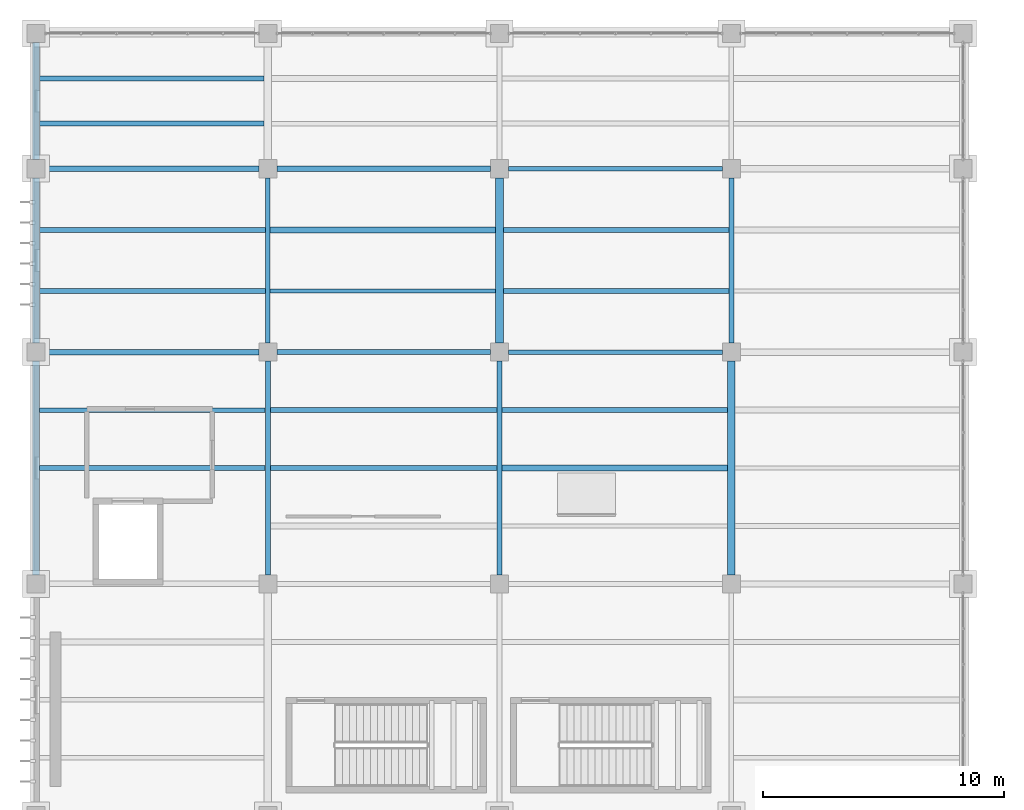
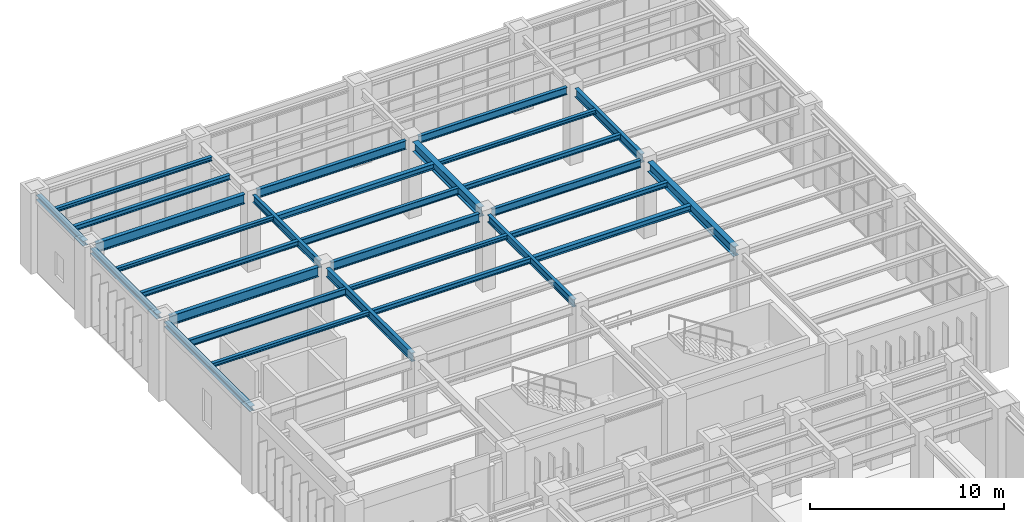
# One storey, part 73 of 174: 29 beams.
"""IFC4 building model written with IfcOpenShell, lengths in metres."""

from ifc_helpers import new_model, si_unit, direction, frame, origin, origin_2d, place, context, subcontext, project, spatial, i_section, extrude, material, material_profile, profile_set, type_object, element, save


model = new_model("IFC4")

# Units and contexts
model_context = context("Model", 3, precision=1e-05, world=origin(), true_north=direction((0.0, 1.0)))
body_context = subcontext(model_context, "Body", "Model", "MODEL_VIEW")
ifc_project = project(units=[si_unit("LENGTHUNIT", "METRE"), si_unit("AREAUNIT", "SQUARE_METRE"), si_unit("VOLUMEUNIT", "CUBIC_METRE"), si_unit("PLANEANGLEUNIT", "RADIAN"), si_unit("MASSUNIT", "GRAM", prefix="KILO")], contexts=[model_context])

# Site, building, storey
site_placement = place(None, origin())
site = spatial("IfcSite", under=ifc_project, at=site_placement, CompositionType="ELEMENT")
building_placement = place(site_placement, origin())
building = spatial("IfcBuilding", under=site, at=building_placement, Name="Mavantir Sound Aquarium", CompositionType="ELEMENT")
storey_placement = place(building_placement, frame((0.0, 0.0, 5.39990234375)))
storey = spatial("IfcBuildingStorey", under=building, at=storey_placement, Name="L01", CompositionType="ELEMENT", Elevation=5.39990234375)

# Beams
ifc_material = material(Name="Structural Steel ASTM A992 Gr50", Category="steel")
ifc_material_profile_1 = material_profile(ifc_material, i_section(OverallWidth=0.202880859375, OverallDepth=0.251953125, WebThickness=0.008056640625, FlangeThickness=0.013427734375, FilletRadius=0.011962890625, at=origin_2d()), Name="W250X58")
ifc_profile_set_1 = profile_set([ifc_material_profile_1], Name="Structural Steel ASTM A992 Gr50")
beam_type_1 = type_object("IfcBeamType", Name="BM-W250X58-I", PredefinedType="JOIST", material=ifc_profile_set_1)
beam_1_placement = place(storey_placement, frame((0.152587890625, 98.0, 4.670166015625), z_axis=(1.0, 0.0, 0.0), x_axis=(0.0, 1.0, 0.0)))
element("IfcBeam", 1, at=beam_1_placement, inside=storey, type_object=beam_type_1, Name="L01 secondary floor joist SJ-25 804", PredefinedType="JOIST", context=body_context, shape_type="SweptSolid", body=[
    extrude(i_section(OverallWidth=0.202880859375, OverallDepth=0.251953125, WebThickness=0.008056640625, FlangeThickness=0.013427734375, FilletRadius=0.011962890625, at=origin_2d()), origin(), (0.0, 0.0, 1.0), 9.34130859375),
])
beam_2_placement = place(storey_placement, frame((9.7060546875, 100.39990234375, 4.670166015625), z_axis=(1.0, 0.0, 0.0), x_axis=(0.0, 1.0, 0.0)))
element("IfcBeam", 2, at=beam_2_placement, inside=storey, type_object=beam_type_1, Name="L01 secondary floor joist SJ-25 808", PredefinedType="JOIST", context=body_context, shape_type="SweptSolid", body=[
    extrude(i_section(OverallWidth=0.202880859375, OverallDepth=0.251953125, WebThickness=0.008056640625, FlangeThickness=0.013427734375, FilletRadius=0.011962890625, at=origin_2d()), origin(), (0.0, 0.0, 1.0), 9.39697265625),
])
beam_3_placement = place(storey_placement, frame((0.152587890625, 107.86669921875, 4.670166015625), z_axis=(1.0, 0.0, 0.0), x_axis=(0.0, 1.0, 0.0)))
element("IfcBeam", 3, at=beam_3_placement, inside=storey, type_object=beam_type_1, Name="L01 secondary floor joist SJ-25 816", PredefinedType="JOIST", context=body_context, shape_type="SweptSolid", body=[
    extrude(i_section(OverallWidth=0.202880859375, OverallDepth=0.251953125, WebThickness=0.008056640625, FlangeThickness=0.013427734375, FilletRadius=0.011962890625, at=origin_2d()), origin(), (0.0, 0.0, 1.0), 9.350341796875),
])
beam_4_placement = place(storey_placement, frame((19.362060546875, 107.86669921875, 4.670166015625), z_axis=(1.0, 0.0, 0.0), x_axis=(0.0, 1.0, 0.0)))
element("IfcBeam", 4, at=beam_4_placement, inside=storey, type_object=beam_type_1, Name="L01 secondary floor joist SJ-25 820", PredefinedType="JOIST", context=body_context, shape_type="SweptSolid", body=[
    extrude(i_section(OverallWidth=0.202880859375, OverallDepth=0.251953125, WebThickness=0.008056640625, FlangeThickness=0.013427734375, FilletRadius=0.011962890625, at=origin_2d()), origin(), (0.0, 0.0, 1.0), 9.33203125),
])
beam_5_placement = place(storey_placement, frame((0.152587890625, 114.13330078125, 4.650146484375), z_axis=(1.0, 0.0, 0.0), x_axis=(0.0, 1.0, 0.0)))
element("IfcBeam", 5, at=beam_5_placement, inside=storey, type_object=beam_type_1, Name="L01 secondary floor joist SJ-25 824", PredefinedType="JOIST", context=body_context, shape_type="SweptSolid", body=[
    extrude(i_section(OverallWidth=0.202880859375, OverallDepth=0.251953125, WebThickness=0.008056640625, FlangeThickness=0.013427734375, FilletRadius=0.011962890625, at=origin_2d()), origin(), (0.0, 0.0, 1.0), 9.285400390625),
])
ifc_material_profile_2 = material_profile(ifc_material, i_section(OverallWidth=0.205078125, OverallDepth=0.31005859375, WebThickness=0.009521484375, FlangeThickness=0.016357421875, FilletRadius=0.012939453125, at=origin_2d()), Name="W310X74")
ifc_profile_set_2 = profile_set([ifc_material_profile_2], Name="Structural Steel ASTM A992 Gr50")
beam_type_2 = type_object("IfcBeamType", Name="BM-W310X74-I", PredefinedType="JOIST", material=ifc_profile_set_2)
beam_6_placement = place(storey_placement, frame((9.7060546875, 98.0, 4.64111328125), z_axis=(1.0, 0.0, 0.0), x_axis=(0.0, 1.0, 0.0)))
element("IfcBeam", 6, at=beam_6_placement, inside=storey, type_object=beam_type_2, Name="L01 secondary floor joist SJ-31 807", PredefinedType="JOIST", context=body_context, shape_type="SweptSolid", body=[
    extrude(i_section(OverallWidth=0.205078125, OverallDepth=0.31005859375, WebThickness=0.009521484375, FlangeThickness=0.016357421875, FilletRadius=0.012939453125, at=origin_2d()), origin(), (0.0, 0.0, 1.0), 9.39697265625),
])
beam_7_placement = place(storey_placement, frame((19.297119140625, 100.39990234375, 4.64111328125), z_axis=(1.0, 0.0, 0.0), x_axis=(0.0, 1.0, 0.0)))
element("IfcBeam", 7, at=beam_7_placement, inside=storey, type_object=beam_type_2, Name="L01 secondary floor joist SJ-31 811", PredefinedType="JOIST", context=body_context, shape_type="SweptSolid", body=[
    extrude(i_section(OverallWidth=0.205078125, OverallDepth=0.31005859375, WebThickness=0.009521484375, FlangeThickness=0.016357421875, FilletRadius=0.012939453125, at=origin_2d()), origin(), (0.0, 0.0, 1.0), 9.3408203125),
])
beam_8_placement = place(storey_placement, frame((0.152587890625, 105.333251953125, 4.64111328125), z_axis=(1.0, 0.0, 0.0), x_axis=(0.0, 1.0, 0.0)))
element("IfcBeam", 8, at=beam_8_placement, inside=storey, type_object=beam_type_2, Name="L01 secondary floor joist SJ-31 815", PredefinedType="JOIST", context=body_context, shape_type="SweptSolid", body=[
    extrude(i_section(OverallWidth=0.205078125, OverallDepth=0.31005859375, WebThickness=0.009521484375, FlangeThickness=0.016357421875, FilletRadius=0.012939453125, at=origin_2d()), origin(), (0.0, 0.0, 1.0), 9.350341796875),
])
beam_9_placement = place(storey_placement, frame((19.362060546875, 105.333251953125, 4.64111328125), z_axis=(1.0, 0.0, 0.0), x_axis=(0.0, 1.0, 0.0)))
element("IfcBeam", 9, at=beam_9_placement, inside=storey, type_object=beam_type_2, Name="L01 secondary floor joist SJ-31 819", PredefinedType="JOIST", context=body_context, shape_type="SweptSolid", body=[
    extrude(i_section(OverallWidth=0.205078125, OverallDepth=0.31005859375, WebThickness=0.009521484375, FlangeThickness=0.016357421875, FilletRadius=0.012939453125, at=origin_2d()), origin(), (0.0, 0.0, 1.0), 9.33203125),
])
beam_10_placement = place(storey_placement, frame((0.152587890625, 112.2666015625, 4.62109375), z_axis=(1.0, 0.0, 0.0), x_axis=(0.0, 1.0, 0.0)))
element("IfcBeam", 10, at=beam_10_placement, inside=storey, type_object=beam_type_2, Name="L01 secondary floor joist SJ-31 823", PredefinedType="JOIST", context=body_context, shape_type="SweptSolid", body=[
    extrude(i_section(OverallWidth=0.205078125, OverallDepth=0.31005859375, WebThickness=0.009521484375, FlangeThickness=0.016357421875, FilletRadius=0.012939453125, at=origin_2d()), origin(), (0.0, 0.0, 1.0), 9.285400390625),
])
ifc_material_profile_3 = material_profile(ifc_material, i_section(OverallWidth=0.304931640625, OverallDepth=0.30810546875, WebThickness=0.010009765625, FlangeThickness=0.015380859375, FilletRadius=0.014892578125, at=origin_2d()), Name="W310X97")
ifc_profile_set_3 = profile_set([ifc_material_profile_3], Name="Structural Steel ASTM A992 Gr50")
beam_type_3 = type_object("IfcBeamType", Name="BM-W310X97-E", PredefinedType="SPANDREL", material=ifc_profile_set_3)
beam_11_placement = place(storey_placement, frame((0.0, 93.574951171875, 4.64208984375), z_axis=(0.0, 1.0, 0.0), x_axis=(-1.0, 0.0, 0.0)))
element("IfcBeam", 11, at=beam_11_placement, inside=storey, type_object=beam_type_3, Name="L01 primary girder SS-31A 1378", PredefinedType="SPANDREL", context=body_context, shape_type="SweptSolid", body=[
    extrude(i_section(OverallWidth=0.304931640625, OverallDepth=0.30810546875, WebThickness=0.010009765625, FlangeThickness=0.015380859375, FilletRadius=0.014892578125, at=origin_2d()), origin(), (0.0, 0.0, 1.0), 8.85009765625),
])
beam_12_placement = place(storey_placement, frame((0.0, 103.175048828125, 4.64208984375), z_axis=(0.0, 1.0, 0.0), x_axis=(-1.0, 0.0, 0.0)))
element("IfcBeam", 12, at=beam_12_placement, inside=storey, type_object=beam_type_3, Name="L01 primary girder SS-31A 1379", PredefinedType="SPANDREL", context=body_context, shape_type="SweptSolid", body=[
    extrude(i_section(OverallWidth=0.304931640625, OverallDepth=0.30810546875, WebThickness=0.010009765625, FlangeThickness=0.015380859375, FilletRadius=0.014892578125, at=origin_2d()), origin(), (0.0, 0.0, 1.0), 6.849853515625),
])
beam_13_placement = place(storey_placement, frame((0.0, 110.77490234375, 4.6220703125), z_axis=(0.0, 1.0, 0.0), x_axis=(-1.0, 0.0, 0.0)))
element("IfcBeam", 13, at=beam_13_placement, inside=storey, type_object=beam_type_3, Name="L01 primary girder SS-31A 1380", PredefinedType="SPANDREL", context=body_context, shape_type="SweptSolid", body=[
    extrude(i_section(OverallWidth=0.304931640625, OverallDepth=0.30810546875, WebThickness=0.010009765625, FlangeThickness=0.015380859375, FilletRadius=0.014892578125, at=origin_2d()), origin(), (0.0, 0.0, 1.0), 4.85009765625),
])
ifc_material_profile_4 = material_profile(ifc_material, i_section(OverallWidth=0.25390625, OverallDepth=0.35302734375, WebThickness=0.009521484375, FlangeThickness=0.016357421875, FilletRadius=0.014892578125, at=origin_2d()), Name="W360X91")
ifc_profile_set_4 = profile_set([ifc_material_profile_4], Name="Structural Steel ASTM A992 Gr50")
beam_type_4 = type_object("IfcBeamType", Name="BM-W360X91-I", PredefinedType="JOIST", material=ifc_profile_set_4)
beam_14_placement = place(storey_placement, frame((19.297119140625, 98.0, 4.61962890625), z_axis=(1.0, 0.0, 0.0), x_axis=(0.0, 1.0, 0.0)))
element("IfcBeam", 14, at=beam_14_placement, inside=storey, type_object=beam_type_4, Name="L01 secondary floor joist SJ-36 810", PredefinedType="JOIST", context=body_context, shape_type="SweptSolid", body=[
    extrude(i_section(OverallWidth=0.25390625, OverallDepth=0.35302734375, WebThickness=0.009521484375, FlangeThickness=0.016357421875, FilletRadius=0.014892578125, at=origin_2d()), origin(), (0.0, 0.0, 1.0), 9.3408203125),
])
beam_15_placement = place(storey_placement, frame((9.697021484375, 107.86669921875, 4.61962890625), z_axis=(1.0, 0.0, 0.0), x_axis=(0.0, 1.0, 0.0)))
element("IfcBeam", 15, at=beam_15_placement, inside=storey, type_object=beam_type_4, Name="L01 secondary floor joist SJ-36 818", PredefinedType="JOIST", context=body_context, shape_type="SweptSolid", body=[
    extrude(i_section(OverallWidth=0.25390625, OverallDepth=0.35302734375, WebThickness=0.009521484375, FlangeThickness=0.016357421875, FilletRadius=0.014892578125, at=origin_2d()), origin(), (0.0, 0.0, 1.0), 9.341064453125),
])
ifc_material_profile_5 = material_profile(ifc_material, i_section(OverallWidth=0.180908203125, OverallDepth=0.4169921875, WebThickness=0.010986328125, FlangeThickness=0.018310546875, FilletRadius=0.014892578125, at=origin_2d()), Name="W410X85")
ifc_profile_set_5 = profile_set([ifc_material_profile_5], Name="Structural Steel ASTM A992 Gr50")
beam_type_5 = type_object("IfcBeamType", Name="BM-W410X85-I", PredefinedType="JOIST", material=ifc_profile_set_5)
beam_16_placement = place(storey_placement, frame((0.152587890625, 100.39990234375, 4.587646484375), z_axis=(1.0, 0.0, 0.0), x_axis=(0.0, 1.0, 0.0)))
element("IfcBeam", 16, at=beam_16_placement, inside=storey, type_object=beam_type_5, Name="L01 secondary floor joist SJ-41 805", PredefinedType="JOIST", context=body_context, shape_type="SweptSolid", body=[
    extrude(i_section(OverallWidth=0.180908203125, OverallDepth=0.4169921875, WebThickness=0.010986328125, FlangeThickness=0.018310546875, FilletRadius=0.014892578125, at=origin_2d()), origin(), (0.0, 0.0, 1.0), 9.34130859375),
])
beam_17_placement = place(storey_placement, frame((9.697021484375, 105.333251953125, 4.587646484375), z_axis=(1.0, 0.0, 0.0), x_axis=(0.0, 1.0, 0.0)))
element("IfcBeam", 17, at=beam_17_placement, inside=storey, type_object=beam_type_5, Name="L01 secondary floor joist SJ-41 817", PredefinedType="JOIST", context=body_context, shape_type="SweptSolid", body=[
    extrude(i_section(OverallWidth=0.180908203125, OverallDepth=0.4169921875, WebThickness=0.010986328125, FlangeThickness=0.018310546875, FilletRadius=0.014892578125, at=origin_2d()), origin(), (0.0, 0.0, 1.0), 9.341064453125),
])
ifc_material_profile_6 = material_profile(ifc_material, i_section(OverallWidth=0.194091796875, OverallDepth=0.468994140625, WebThickness=0.0126953125, FlangeThickness=0.0205078125, FilletRadius=0.01611328125, at=origin_2d()), Name="W460X106")
ifc_profile_set_6 = profile_set([ifc_material_profile_6], Name="Structural Steel ASTM A992 Gr50")
beam_type_6 = type_object("IfcBeamType", Name="BM-W460X106-I", PredefinedType="BEAM", material=ifc_profile_set_6)
for number, where, z_axis, x_axis, name in (
    (18, (19.574951171875, 102.800048828125, 4.5615234375), (1.0, 0.0, 0.0), (0.0, 1.0, 0.0), "L01 primary beam SB-46 1367"),
    (19, (19.574951171875, 110.39990234375, 4.54150390625), (1.0, 0.0, 0.0), (0.0, 1.0, 0.0), "L01 primary beam SB-46 1371"),
):
    element("IfcBeam", number, at=place(storey_placement, frame(where, z_axis=z_axis, x_axis=x_axis)), inside=storey, type_object=beam_type_6, Name=name, PredefinedType="BEAM", context=body_context, shape_type="SweptSolid", body=[
        extrude(i_section(OverallWidth=0.194091796875, OverallDepth=0.468994140625, WebThickness=0.0126953125, FlangeThickness=0.0205078125, FilletRadius=0.01611328125, at=origin_2d()), origin(), (0.0, 0.0, 1.0), 8.85009765625),
    ])
beam_18_placement = place(storey_placement, frame((9.60009765625, 103.175048828125, 4.5615234375), z_axis=(0.0, 1.0, 0.0), x_axis=(-1.0, 0.0, 0.0)))
element("IfcBeam", 20, at=beam_18_placement, inside=storey, type_object=beam_type_6, Name="L01 primary girder SB-46 1383", PredefinedType="BEAM", context=body_context, shape_type="SweptSolid", body=[
    extrude(i_section(OverallWidth=0.194091796875, OverallDepth=0.468994140625, WebThickness=0.0126953125, FlangeThickness=0.0205078125, FilletRadius=0.01611328125, at=origin_2d()), origin(), (0.0, 0.0, 1.0), 6.849853515625),
])
beam_19_placement = place(storey_placement, frame((19.199951171875, 93.574951171875, 4.5615234375), z_axis=(0.0, 1.0, 0.0), x_axis=(-1.0, 0.0, 0.0)))
element("IfcBeam", 21, at=beam_19_placement, inside=storey, type_object=beam_type_6, Name="L01 primary girder SB-46 1386", PredefinedType="BEAM", context=body_context, shape_type="SweptSolid", body=[
    extrude(i_section(OverallWidth=0.194091796875, OverallDepth=0.468994140625, WebThickness=0.0126953125, FlangeThickness=0.0205078125, FilletRadius=0.01611328125, at=origin_2d()), origin(), (0.0, 0.0, 1.0), 8.85009765625),
])
ifc_material_profile_7 = material_profile(ifc_material, i_section(OverallWidth=0.2119140625, OverallDepth=0.5439453125, WebThickness=0.01318359375, FlangeThickness=0.021240234375, FilletRadius=0.01806640625, at=origin_2d()), Name="W530X123")
ifc_profile_set_7 = profile_set([ifc_material_profile_7], Name="Structural Steel ASTM A992 Gr50")
beam_type_7 = type_object("IfcBeamType", Name="BM-W530X123-I", PredefinedType="BEAM", material=ifc_profile_set_7)
for number, where, z_axis, x_axis, name in (
    (22, (9.97509765625, 102.800048828125, 4.524169921875), (1.0, 0.0, 0.0), (0.0, 1.0, 0.0), "L01 primary beam SB-53 1366"),
    (23, (9.97509765625, 110.39990234375, 4.504150390625), (1.0, 0.0, 0.0), (0.0, 1.0, 0.0), "L01 primary beam SB-53 1370"),
):
    element("IfcBeam", number, at=place(storey_placement, frame(where, z_axis=z_axis, x_axis=x_axis)), inside=storey, type_object=beam_type_7, Name=name, PredefinedType="BEAM", context=body_context, shape_type="SweptSolid", body=[
        extrude(i_section(OverallWidth=0.2119140625, OverallDepth=0.5439453125, WebThickness=0.01318359375, FlangeThickness=0.021240234375, FilletRadius=0.01806640625, at=origin_2d()), origin(), (0.0, 0.0, 1.0), 8.849853515625),
    ])
beam_20_placement = place(storey_placement, frame((9.60009765625, 93.574951171875, 4.524169921875), z_axis=(0.0, 1.0, 0.0), x_axis=(-1.0, 0.0, 0.0)))
element("IfcBeam", 24, at=beam_20_placement, inside=storey, type_object=beam_type_7, Name="L01 primary girder SB-53 1382", PredefinedType="BEAM", context=body_context, shape_type="SweptSolid", body=[
    extrude(i_section(OverallWidth=0.2119140625, OverallDepth=0.5439453125, WebThickness=0.01318359375, FlangeThickness=0.021240234375, FilletRadius=0.01806640625, at=origin_2d()), origin(), (0.0, 0.0, 1.0), 8.85009765625),
])
beam_21_placement = place(storey_placement, frame((28.800048828125, 103.175048828125, 4.504150390625), z_axis=(0.0, 1.0, 0.0), x_axis=(-1.0, 0.0, 0.0)))
element("IfcBeam", 25, at=beam_21_placement, inside=storey, type_object=beam_type_7, Name="L01 primary girder SB-53 1391", PredefinedType="BEAM", context=body_context, shape_type="SweptSolid", body=[
    extrude(i_section(OverallWidth=0.2119140625, OverallDepth=0.5439453125, WebThickness=0.01318359375, FlangeThickness=0.021240234375, FilletRadius=0.01806640625, at=origin_2d()), origin(), (0.0, 0.0, 1.0), 6.849853515625),
])
ifc_material_profile_8 = material_profile(ifc_material, i_section(OverallWidth=0.22900390625, OverallDepth=0.612060546875, WebThickness=0.011962890625, FlangeThickness=0.01953125, FilletRadius=0.01904296875, at=origin_2d()), Name="W610X125")
ifc_profile_set_8 = profile_set([ifc_material_profile_8], Name="Structural Steel ASTM A992 Gr50")
beam_type_8 = type_object("IfcBeamType", Name="BM-W610X125-I", PredefinedType="BEAM", material=ifc_profile_set_8)
for number, where, z_axis, x_axis, name in (
    (26, (0.375, 102.800048828125, 4.489990234375), (1.0, 0.0, 0.0), (0.0, 1.0, 0.0), "L01 primary beam SB-61B 1365"),
    (27, (0.375, 110.39990234375, 4.47021484375), (1.0, 0.0, 0.0), (0.0, 1.0, 0.0), "L01 primary beam SB-61B 1369"),
):
    element("IfcBeam", number, at=place(storey_placement, frame(where, z_axis=z_axis, x_axis=x_axis)), inside=storey, type_object=beam_type_8, Name=name, PredefinedType="BEAM", context=body_context, shape_type="SweptSolid", body=[
        extrude(i_section(OverallWidth=0.22900390625, OverallDepth=0.612060546875, WebThickness=0.011962890625, FlangeThickness=0.01953125, FilletRadius=0.01904296875, at=origin_2d()), origin(), (0.0, 0.0, 1.0), 8.85009765625),
    ])
ifc_material_profile_9 = material_profile(ifc_material, i_section(OverallWidth=0.323974609375, OverallDepth=0.611083984375, WebThickness=0.0126953125, FlangeThickness=0.01904296875, FilletRadius=0.01904296875, at=origin_2d()), Name="W610X155")
ifc_profile_set_9 = profile_set([ifc_material_profile_9], Name="Structural Steel ASTM A992 Gr50")
beam_type_9 = type_object("IfcBeamType", Name="BM-W610X155-I", PredefinedType="BEAM", material=ifc_profile_set_9)
beam_22_placement = place(storey_placement, frame((19.199951171875, 103.175048828125, 4.490478515625), z_axis=(0.0, 1.0, 0.0), x_axis=(-1.0, 0.0, 0.0)))
element("IfcBeam", 28, at=beam_22_placement, inside=storey, type_object=beam_type_9, Name="L01 primary girder SB-61A 1387", PredefinedType="BEAM", context=body_context, shape_type="SweptSolid", body=[
    extrude(i_section(OverallWidth=0.323974609375, OverallDepth=0.611083984375, WebThickness=0.0126953125, FlangeThickness=0.01904296875, FilletRadius=0.01904296875, at=origin_2d()), origin(), (0.0, 0.0, 1.0), 6.849853515625),
])
beam_23_placement = place(storey_placement, frame((28.800048828125, 93.574951171875, 4.470703125), z_axis=(0.0, 1.0, 0.0), x_axis=(-1.0, 0.0, 0.0)))
element("IfcBeam", 29, at=beam_23_placement, inside=storey, type_object=beam_type_9, Name="L01 primary girder SB-61A 1390", PredefinedType="BEAM", context=body_context, shape_type="SweptSolid", body=[
    extrude(i_section(OverallWidth=0.323974609375, OverallDepth=0.611083984375, WebThickness=0.0126953125, FlangeThickness=0.01904296875, FilletRadius=0.01904296875, at=origin_2d()), origin(), (0.0, 0.0, 1.0), 8.85009765625),
])

save(model, "model.ifc")
